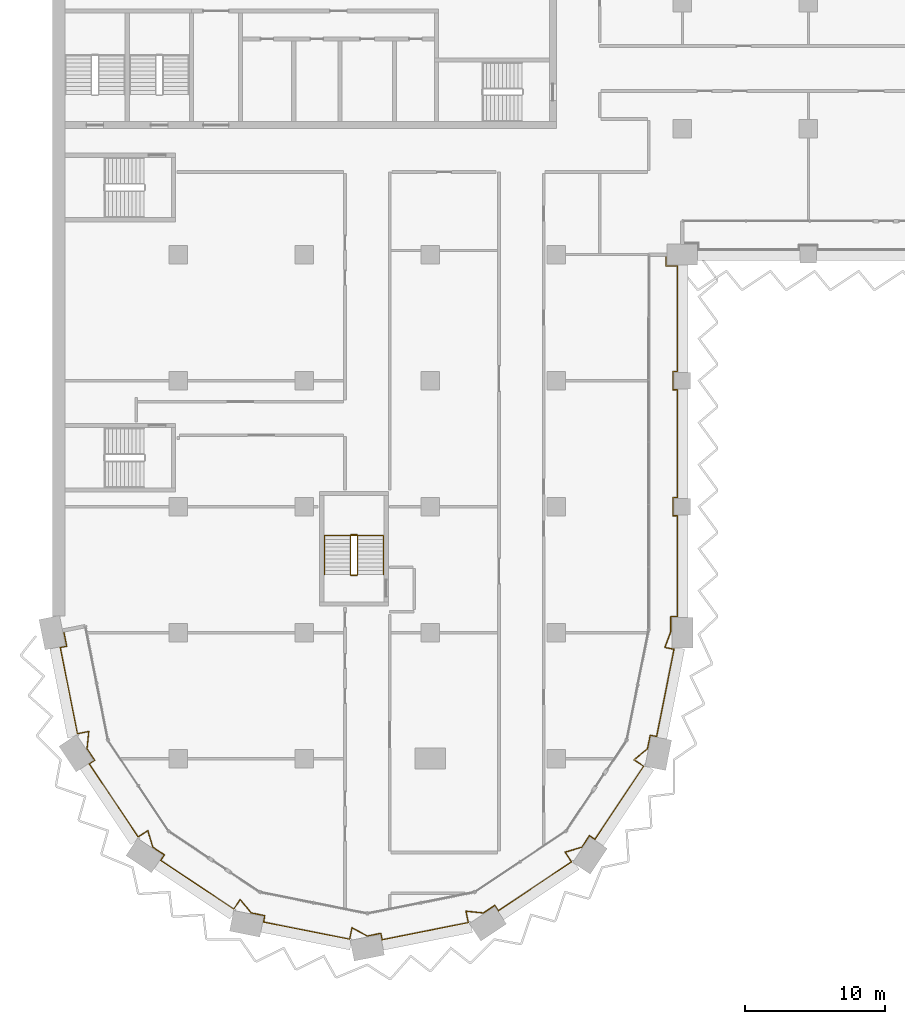
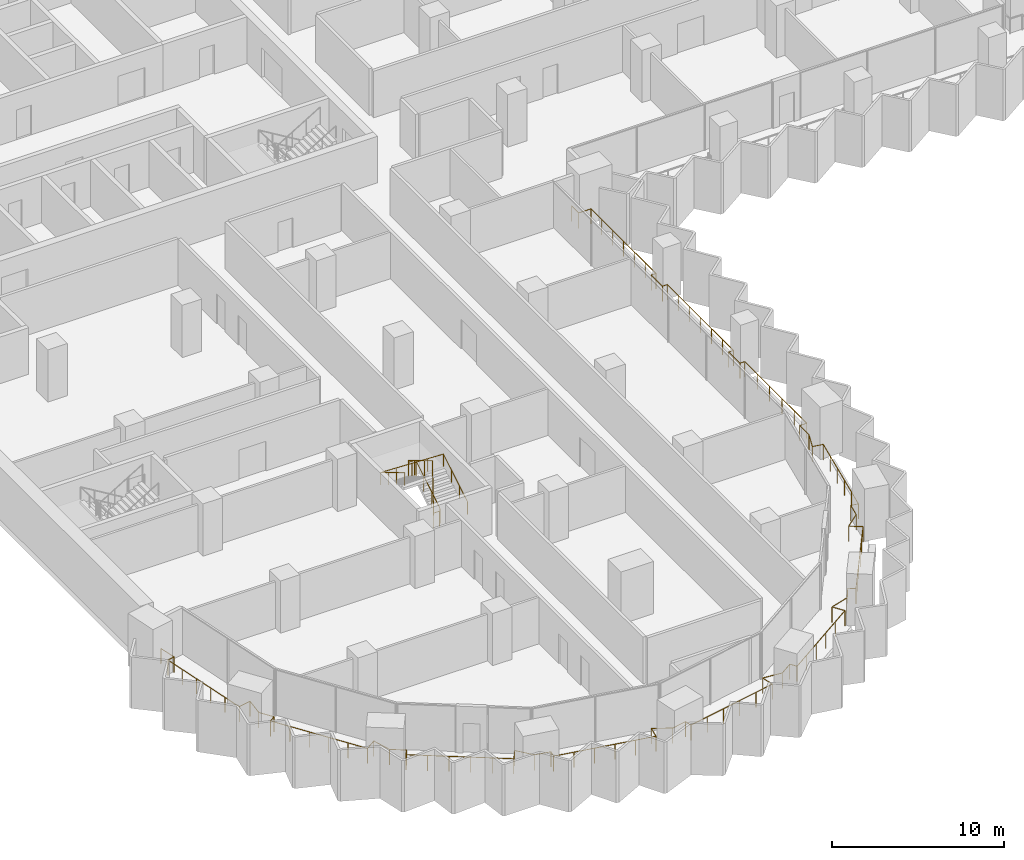
# One storey, part 20 of 23: 3 railings.
"""IFC4 building model written with IfcOpenShell, lengths in metres."""

from ifc_helpers import new_model, si_unit, direction, frame, origin, origin_2d, place, context, subcontext, project, spatial, circle, extrude, material, type_object, element, save


model = new_model("IFC4")

# Units and contexts
model_context = context("Model", 3, precision=1e-05, world=origin(), true_north=direction((0.0, 1.0)))
body_context = subcontext(model_context, "Body", "Model", "MODEL_VIEW")
ifc_project = project(units=[si_unit("LENGTHUNIT", "METRE"), si_unit("AREAUNIT", "SQUARE_METRE"), si_unit("VOLUMEUNIT", "CUBIC_METRE"), si_unit("PLANEANGLEUNIT", "RADIAN"), si_unit("MASSUNIT", "GRAM", prefix="KILO")], contexts=[model_context])

# Site, building, storey
site_placement = place(None, origin())
site = spatial("IfcSite", under=ifc_project, at=site_placement, CompositionType="ELEMENT")
building_placement = place(site_placement, origin())
building = spatial("IfcBuilding", under=site, at=building_placement, Name="Hunhe Ridgeline Campus", CompositionType="ELEMENT")
storey_placement = place(building_placement, frame((0.0, 0.0, 103.300048828125)))
storey = spatial("IfcBuildingStorey", under=building, at=storey_placement, Name="L25", CompositionType="ELEMENT", Elevation=103.300048828125)

# Railings
ifc_material_1 = material(Name="Steel Q355", Category="steel")
railing_type_1 = type_object("IfcRailingType", Name="Loggia guard 1100 Steel Q355", PredefinedType="GUARDRAIL", material=ifc_material_1)
railing_1_placement = place(storey_placement, frame((0.80419921875, 27.159912109375, 0.0)))
element("IfcRailing", 1, at=railing_1_placement, inside=storey, type_object=railing_type_1, Name="Loggia guard 1", PredefinedType="GUARDRAIL", context=body_context, shape_type="SweptSolid", body=[
    extrude(circle(Radius=0.02392578125, at=origin_2d()), frame((0.0, 0.0, 1.076171875), z_axis=(0.195095399255, -0.980784270464, 0.0), x_axis=(0.980784270464, 0.195095399255, 0.0)), (0.0, 0.0, 1.0), 1.150146484375),
    extrude(circle(Radius=0.02392578125, at=origin_2d()), frame((0.224365234375, -1.1279296875, 1.076171875), z_axis=(-0.980839571814, -0.194817181902, 0.0), x_axis=(0.194817181902, -0.980839571814, 0.0)), (0.0, 0.0, 1.0), 0.469970703125),
    extrude(circle(Radius=0.02392578125, at=origin_2d()), frame((-0.236572265625, -1.219482421875, 1.076171875), z_axis=(0.195091122585, -0.98078512116, 0.0), x_axis=(0.98078512116, 0.195091122585, 0.0)), (0.0, 0.0, 1.0), 6.27587890625),
    extrude(circle(Radius=0.02392578125, at=origin_2d()), frame((0.98779296875, -7.374755859375, 1.076171875), z_axis=(0.980805242724, 0.194989937807, 0.0), x_axis=(-0.194989937807, 0.980805242724, 0.0)), (0.0, 0.0, 1.0), 0.833984375),
    extrude(circle(Radius=0.02392578125, at=origin_2d()), frame((1.8056640625, -7.212158203125, 1.076171875), z_axis=(-0.10024174874, -0.994963110778, 0.0), x_axis=(0.994963110778, -0.10024174874, 0.0)), (0.0, 0.0, 1.0), 1.24462890625),
    extrude(circle(Radius=0.02392578125, at=origin_2d()), frame((1.680908203125, -8.450439453125, 1.076171875), z_axis=(0.555613261421, -0.831440860034, 0.0), x_axis=(0.831440860034, 0.555613261421, 0.0)), (0.0, 0.0, 1.0), 0.98681640625),
    extrude(circle(Radius=0.02392578125, at=origin_2d()), frame((2.229248046875, -9.27099609375, 1.076171875), z_axis=(-0.831650496226, -0.55529942565, 0.0), x_axis=(0.55529942565, -0.831650496226, 0.0)), (0.0, 0.0, 1.0), 0.469970703125),
    extrude(circle(Radius=0.02392578125, at=origin_2d()), frame((1.83837890625, -9.531982421875, 1.076171875), z_axis=(0.55555274607, -0.831481296443, 0.0), x_axis=(0.831481296443, 0.55555274607, 0.0)), (0.0, 0.0, 1.0), 6.27587890625),
    extrude(circle(Radius=0.02392578125, at=origin_2d()), frame((5.324951171875, -14.750244140625, 1.076171875), z_axis=(0.831419211319, 0.555645656016, 0.0), x_axis=(-0.555645656016, 0.831419211319, 0.0)), (0.0, 0.0, 1.0), 0.833984375),
    extrude(circle(Radius=0.02392578125, at=origin_2d()), frame((6.018310546875, -14.286865234375, 1.076171875), z_axis=(0.288373576958, -0.957517979002, 0.0), x_axis=(0.957517979002, 0.288373576958, 0.0)), (0.0, 0.0, 1.0), 1.24462890625),
    extrude(circle(Radius=0.02392578125, at=origin_2d()), frame((6.377197265625, -15.478515625, 1.076171875), z_axis=(0.831440860034, -0.555613261421, 0.0), x_axis=(0.555613261421, 0.831440860034, 0.0)), (0.0, 0.0, 1.0), 0.98681640625),
    extrude(circle(Radius=0.02392578125, at=origin_2d()), frame((7.19775390625, -16.02685546875, 1.076171875), z_axis=(-0.555658548717, -0.831410594856, 0.0), x_axis=(0.831410594856, -0.555658548717, 0.0)), (0.0, 0.0, 1.0), 0.47021484375),
    extrude(circle(Radius=0.02392578125, at=origin_2d()), frame((6.9365234375, -16.417724609375, 1.076171875), z_axis=(0.831469289337, -0.555570716372, 0.0), x_axis=(0.555570716372, 0.831469289337, 0.0)), (0.0, 0.0, 1.0), 6.275634765625),
    extrude(circle(Radius=0.02392578125, at=origin_2d()), frame((12.154541015625, -19.904296875, 1.076171875), z_axis=(0.555645656016, 0.831419211319, 0.0), x_axis=(-0.831419211319, 0.555645656016, 0.0)), (0.0, 0.0, 1.0), 0.833984375),
    extrude(circle(Radius=0.02392578125, at=origin_2d()), frame((12.617919921875, -19.2109375, 1.076171875), z_axis=(0.632628709191, -0.774455238414, 0.0), x_axis=(0.774455238414, 0.632628709191, 0.0)), (0.0, 0.0, 1.0), 1.24462890625),
    extrude(circle(Radius=0.02392578125, at=origin_2d()), frame((13.4052734375, -20.1748046875, 1.076171875), z_axis=(0.980770488785, -0.195164669773, 0.0), x_axis=(0.195164669773, 0.980770488785, 0.0)), (0.0, 0.0, 1.0), 0.987060546875),
    extrude(circle(Radius=0.02392578125, at=origin_2d()), frame((14.373291015625, -20.367431640625, 1.076171875), z_axis=(-0.195316901017, -0.980740183829, 0.0), x_axis=(0.980740183829, -0.195316901017, 0.0)), (0.0, 0.0, 1.0), 0.469970703125),
    extrude(circle(Radius=0.02392578125, at=origin_2d()), frame((14.281494140625, -20.828369140625, 1.076171875), z_axis=(0.98078512116, -0.195091122585, 0.0), x_axis=(0.195091122585, 0.98078512116, 0.0)), (0.0, 0.0, 1.0), 6.27587890625),
    extrude(circle(Radius=0.02392578125, at=origin_2d()), frame((20.436767578125, -22.052734375, 1.076171875), z_axis=(0.194989937807, 0.980805242724, 0.0), x_axis=(-0.980805242724, 0.194989937807, 0.0)), (0.0, 0.0, 1.0), 0.833984375),
    extrude(circle(Radius=0.02392578125, at=origin_2d()), frame((20.599365234375, -21.23486328125, 1.076171875), z_axis=(0.880980801229, -0.473152013486, 0.0), x_axis=(0.473152013486, 0.880980801229, 0.0)), (0.0, 0.0, 1.0), 1.24462890625),
    extrude(circle(Radius=0.02392578125, at=origin_2d()), frame((21.69580078125, -21.82373046875, 1.076171875), z_axis=(0.98081780924, 0.194926717196, 0.0), x_axis=(-0.194926717196, 0.98081780924, 0.0)), (0.0, 0.0, 1.0), 0.987060546875),
    extrude(circle(Radius=0.02392578125, at=origin_2d()), frame((22.663818359375, -21.63134765625, 1.076171875), z_axis=(0.194817181902, -0.980839571814, 0.0), x_axis=(0.980839571814, 0.194817181902, 0.0)), (0.0, 0.0, 1.0), 0.469970703125),
    extrude(circle(Radius=0.02392578125, at=origin_2d()), frame((22.75537109375, -22.09228515625, 1.076171875), z_axis=(0.98078512116, 0.195091122585, 0.0), x_axis=(-0.195091122585, 0.98078512116, 0.0)), (0.0, 0.0, 1.0), 6.27587890625),
    extrude(circle(Radius=0.02392578125, at=origin_2d()), frame((28.91064453125, -20.867919921875, 1.076171875), z_axis=(-0.194989937807, 0.980805242724, 0.0), x_axis=(-0.980805242724, -0.194989937807, 0.0)), (0.0, 0.0, 1.0), 0.833984375),
    extrude(circle(Radius=0.02392578125, at=origin_2d()), frame((28.748046875, -20.050048828125, 1.076171875), z_axis=(0.994963110778, -0.10024174874, 0.0), x_axis=(0.10024174874, 0.994963110778, 0.0)), (0.0, 0.0, 1.0), 1.24462890625),
    extrude(circle(Radius=0.02392578125, at=origin_2d()), frame((29.986328125, -20.1748046875, 1.076171875), z_axis=(0.831440860034, 0.555613261421, 0.0), x_axis=(-0.555613261421, 0.831440860034, 0.0)), (0.0, 0.0, 1.0), 0.98681640625),
    extrude(circle(Radius=0.02392578125, at=origin_2d()), frame((30.806884765625, -19.62646484375, 1.076171875), z_axis=(0.55529942565, -0.831650496226, 0.0), x_axis=(0.831650496226, 0.55529942565, 0.0)), (0.0, 0.0, 1.0), 0.469970703125),
    extrude(circle(Radius=0.02392578125, at=origin_2d()), frame((31.06787109375, -20.017333984375, 1.076171875), z_axis=(0.831481296443, 0.55555274607, 0.0), x_axis=(-0.55555274607, 0.831481296443, 0.0)), (0.0, 0.0, 1.0), 6.27587890625),
    extrude(circle(Radius=0.02392578125, at=origin_2d()), frame((36.2861328125, -16.53076171875, 1.076171875), z_axis=(-0.555645656016, 0.831419211319, 0.0), x_axis=(-0.831419211319, -0.555645656016, 0.0)), (0.0, 0.0, 1.0), 0.833984375),
    extrude(circle(Radius=0.02392578125, at=origin_2d()), frame((35.82275390625, -15.83740234375, 1.076171875), z_axis=(0.957517979002, 0.288373576958, 0.0), x_axis=(-0.288373576958, 0.957517979002, 0.0)), (0.0, 0.0, 1.0), 1.24462890625),
    extrude(circle(Radius=0.02392578125, at=origin_2d()), frame((37.014404296875, -15.478515625, 1.076171875), z_axis=(0.555613261421, 0.831440860034, 0.0), x_axis=(-0.831440860034, 0.555613261421, 0.0)), (0.0, 0.0, 1.0), 0.98681640625),
    extrude(circle(Radius=0.02392578125, at=origin_2d()), frame((37.562744140625, -14.657958984375, 1.076171875), z_axis=(0.831410594856, -0.555658548717, 0.0), x_axis=(0.555658548717, 0.831410594856, 0.0)), (0.0, 0.0, 1.0), 0.47021484375),
    extrude(circle(Radius=0.02392578125, at=origin_2d()), frame((37.95361328125, -14.919189453125, 1.076171875), z_axis=(0.555570716372, 0.831469289337, 0.0), x_axis=(-0.831469289337, 0.555570716372, 0.0)), (0.0, 0.0, 1.0), 6.275634765625),
    extrude(circle(Radius=0.02392578125, at=origin_2d()), frame((41.440185546875, -9.701171875, 1.076171875), z_axis=(-0.831419211319, 0.555645656016, 0.0), x_axis=(-0.555645656016, -0.831419211319, 0.0)), (0.0, 0.0, 1.0), 0.833984375),
    extrude(circle(Radius=0.02392578125, at=origin_2d()), frame((40.746826171875, -9.23779296875, 1.076171875), z_axis=(0.774455238414, 0.632628709191, 0.0), x_axis=(-0.632628709191, 0.774455238414, 0.0)), (0.0, 0.0, 1.0), 1.24462890625),
    extrude(circle(Radius=0.02392578125, at=origin_2d()), frame((41.710693359375, -8.450439453125, 1.076171875), z_axis=(0.195164669773, 0.980770488785, 0.0), x_axis=(-0.980770488785, 0.195164669773, 0.0)), (0.0, 0.0, 1.0), 0.987060546875),
    extrude(circle(Radius=0.02392578125, at=origin_2d()), frame((41.9033203125, -7.482421875, 1.076171875), z_axis=(0.980740183829, -0.195316901017, 0.0), x_axis=(0.195316901017, 0.980740183829, 0.0)), (0.0, 0.0, 1.0), 0.469970703125),
    extrude(circle(Radius=0.02392578125, at=origin_2d()), frame((42.3642578125, -7.57421875, 1.076171875), z_axis=(0.195074166836, 0.98078849373, 0.0), x_axis=(-0.98078849373, 0.195074166836, 0.0)), (0.0, 0.0, 1.0), 6.35400390625),
    extrude(circle(Radius=0.02392578125, at=origin_2d()), frame((43.603759765625, -1.34228515625, 1.076171875), z_axis=(-0.980818178173, 0.194924860818, 0.0), x_axis=(-0.194924860818, -0.980818178173, 0.0)), (0.0, 0.0, 1.0), 0.670166015625),
    extrude(circle(Radius=0.02392578125, at=origin_2d()), frame((42.946533203125, -1.211669921875, 1.076171875), z_axis=(0.354368618256, 0.935105813475, 0.0), x_axis=(-0.935105813475, 0.354368618256, 0.0)), (0.0, 0.0, 1.0), 1.211181640625),
    extrude(circle(Radius=0.02392578125, at=origin_2d()), frame((43.375732421875, -0.0791015625, 1.076171875), z_axis=(0.0, 1.0, 0.0), x_axis=(-1.0, 0.0, 0.0)), (0.0, 0.0, 1.0), 1.069091796875),
    extrude(circle(Radius=0.02392578125, at=origin_2d()), frame((43.375732421875, 0.989990234375, 1.076171875), z_axis=(1.0, 0.0, 0.0), x_axis=(0.0, 1.0, 0.0)), (0.0, 0.0, 1.0), 0.469970703125),
    extrude(circle(Radius=0.02392578125, at=origin_2d()), frame((43.845703125, 0.989990234375, 1.076171875), z_axis=(0.0, 1.0, 0.0), x_axis=(-1.0, 0.0, 0.0)), (0.0, 0.0, 1.0), 7.2001953125),
    extrude(circle(Radius=0.02392578125, at=origin_2d()), frame((43.845703125, 8.190185546875, 1.076171875), z_axis=(-1.0, 0.0, 0.0), x_axis=(0.0, -1.0, 0.0)), (0.0, 0.0, 1.0), 0.31982421875),
    extrude(circle(Radius=0.02392578125, at=origin_2d()), frame((43.52587890625, 8.190185546875, 1.076171875), z_axis=(0.0, 1.0, 0.0), x_axis=(-1.0, 0.0, 0.0)), (0.0, 0.0, 1.0), 1.2998046875),
    extrude(circle(Radius=0.02392578125, at=origin_2d()), frame((43.52587890625, 9.489990234375, 1.076171875), z_axis=(1.0, 0.0, 0.0), x_axis=(0.0, 1.0, 0.0)), (0.0, 0.0, 1.0), 0.31982421875),
    extrude(circle(Radius=0.02392578125, at=origin_2d()), frame((43.845703125, 9.489990234375, 1.076171875), z_axis=(0.0, 1.0, 0.0), x_axis=(-1.0, 0.0, 0.0)), (0.0, 0.0, 1.0), 7.7001953125),
    extrude(circle(Radius=0.02392578125, at=origin_2d()), frame((43.845703125, 17.190185546875, 1.076171875), z_axis=(-1.0, 0.0, 0.0), x_axis=(0.0, -1.0, 0.0)), (0.0, 0.0, 1.0), 0.31982421875),
    extrude(circle(Radius=0.02392578125, at=origin_2d()), frame((43.52587890625, 17.190185546875, 1.076171875), z_axis=(0.0, 1.0, 0.0), x_axis=(-1.0, 0.0, 0.0)), (0.0, 0.0, 1.0), 1.2998046875),
    extrude(circle(Radius=0.02392578125, at=origin_2d()), frame((43.52587890625, 18.489990234375, 1.076171875), z_axis=(1.0, 0.0, 0.0), x_axis=(0.0, 1.0, 0.0)), (0.0, 0.0, 1.0), 0.31982421875),
    extrude(circle(Radius=0.02392578125, at=origin_2d()), frame((43.845703125, 18.489990234375, 1.076171875), z_axis=(0.0, 1.0, 0.0), x_axis=(-1.0, 0.0, 0.0)), (0.0, 0.0, 1.0), 7.550048828125),
    extrude(circle(Radius=0.02392578125, at=origin_2d()), frame((43.845703125, 26.0400390625, 1.076171875), z_axis=(-1.0, 0.0, 0.0), x_axis=(0.0, -1.0, 0.0)), (0.0, 0.0, 1.0), 0.81982421875),
    extrude(circle(Radius=0.02392578125, at=origin_2d()), frame((43.02587890625, 26.0400390625, 1.076171875), z_axis=(0.0, 1.0, 0.0), x_axis=(-1.0, 0.0, 0.0)), (0.0, 0.0, 1.0), 0.800048828125),
    extrude(circle(Radius=0.02099609375, at=origin_2d()), origin(), (0.0, 0.0, 1.0), 1.052001953125),
    extrude(circle(Radius=0.02099609375, at=origin_2d()), frame((0.224365234375, -1.1279296875, 0.0)), (0.0, 0.0, 1.0), 1.052001953125),
    extrude(circle(Radius=0.02099609375, at=origin_2d()), frame((-0.236572265625, -1.219482421875, 0.0)), (0.0, 0.0, 1.0), 1.052001953125),
    extrude(circle(Radius=0.02099609375, at=origin_2d()), frame((0.00830078125, -2.450439453125, 0.0)), (0.0, 0.0, 1.0), 1.052001953125),
    extrude(circle(Radius=0.02099609375, at=origin_2d()), frame((0.253173828125, -3.681640625, 0.0)), (0.0, 0.0, 1.0), 1.052001953125),
    extrude(circle(Radius=0.02099609375, at=origin_2d()), frame((0.498046875, -4.91259765625, 0.0)), (0.0, 0.0, 1.0), 1.052001953125),
    extrude(circle(Radius=0.02099609375, at=origin_2d()), frame((0.742919921875, -6.143798828125, 0.0)), (0.0, 0.0, 1.0), 1.052001953125),
    extrude(circle(Radius=0.02099609375, at=origin_2d()), frame((0.98779296875, -7.374755859375, 0.0)), (0.0, 0.0, 1.0), 1.052001953125),
    extrude(circle(Radius=0.02099609375, at=origin_2d()), frame((1.8056640625, -7.212158203125, 0.0)), (0.0, 0.0, 1.0), 1.052001953125),
    extrude(circle(Radius=0.02099609375, at=origin_2d()), frame((1.680908203125, -8.450439453125, 0.0)), (0.0, 0.0, 1.0), 1.052001953125),
    extrude(circle(Radius=0.02099609375, at=origin_2d()), frame((2.229248046875, -9.27099609375, 0.0)), (0.0, 0.0, 1.0), 1.052001953125),
    extrude(circle(Radius=0.02099609375, at=origin_2d()), frame((1.83837890625, -9.531982421875, 0.0)), (0.0, 0.0, 1.0), 1.052001953125),
    extrude(circle(Radius=0.02099609375, at=origin_2d()), frame((2.53564453125, -10.57568359375, 0.0)), (0.0, 0.0, 1.0), 1.052001953125),
    extrude(circle(Radius=0.02099609375, at=origin_2d()), frame((3.23291015625, -11.619384765625, 0.0)), (0.0, 0.0, 1.0), 1.052001953125),
    extrude(circle(Radius=0.02099609375, at=origin_2d()), frame((3.930419921875, -12.662841796875, 0.0)), (0.0, 0.0, 1.0), 1.052001953125),
    extrude(circle(Radius=0.02099609375, at=origin_2d()), frame((4.627685546875, -13.70654296875, 0.0)), (0.0, 0.0, 1.0), 1.052001953125),
    extrude(circle(Radius=0.02099609375, at=origin_2d()), frame((5.324951171875, -14.750244140625, 0.0)), (0.0, 0.0, 1.0), 1.052001953125),
    extrude(circle(Radius=0.02099609375, at=origin_2d()), frame((6.018310546875, -14.286865234375, 0.0)), (0.0, 0.0, 1.0), 1.052001953125),
    extrude(circle(Radius=0.02099609375, at=origin_2d()), frame((6.377197265625, -15.478515625, 0.0)), (0.0, 0.0, 1.0), 1.052001953125),
    extrude(circle(Radius=0.02099609375, at=origin_2d()), frame((7.19775390625, -16.02685546875, 0.0)), (0.0, 0.0, 1.0), 1.052001953125),
    extrude(circle(Radius=0.02099609375, at=origin_2d()), frame((6.9365234375, -16.417724609375, 0.0)), (0.0, 0.0, 1.0), 1.052001953125),
    extrude(circle(Radius=0.02099609375, at=origin_2d()), frame((7.980224609375, -17.114990234375, 0.0)), (0.0, 0.0, 1.0), 1.052001953125),
    extrude(circle(Radius=0.02099609375, at=origin_2d()), frame((9.023681640625, -17.812255859375, 0.0)), (0.0, 0.0, 1.0), 1.052001953125),
    extrude(circle(Radius=0.02099609375, at=origin_2d()), frame((10.0673828125, -18.509765625, 0.0)), (0.0, 0.0, 1.0), 1.052001953125),
    extrude(circle(Radius=0.02099609375, at=origin_2d()), frame((11.11083984375, -19.20703125, 0.0)), (0.0, 0.0, 1.0), 1.052001953125),
    extrude(circle(Radius=0.02099609375, at=origin_2d()), frame((12.154541015625, -19.904296875, 0.0)), (0.0, 0.0, 1.0), 1.052001953125),
    extrude(circle(Radius=0.02099609375, at=origin_2d()), frame((12.617919921875, -19.2109375, 0.0)), (0.0, 0.0, 1.0), 1.052001953125),
    extrude(circle(Radius=0.02099609375, at=origin_2d()), frame((13.4052734375, -20.1748046875, 0.0)), (0.0, 0.0, 1.0), 1.052001953125),
    extrude(circle(Radius=0.02099609375, at=origin_2d()), frame((14.373291015625, -20.367431640625, 0.0)), (0.0, 0.0, 1.0), 1.052001953125),
    extrude(circle(Radius=0.02099609375, at=origin_2d()), frame((14.281494140625, -20.828369140625, 0.0)), (0.0, 0.0, 1.0), 1.052001953125),
    extrude(circle(Radius=0.02099609375, at=origin_2d()), frame((15.512451171875, -21.0732421875, 0.0)), (0.0, 0.0, 1.0), 1.052001953125),
    extrude(circle(Radius=0.02099609375, at=origin_2d()), frame((16.74365234375, -21.318115234375, 0.0)), (0.0, 0.0, 1.0), 1.052001953125),
    extrude(circle(Radius=0.02099609375, at=origin_2d()), frame((17.974609375, -21.56298828125, 0.0)), (0.0, 0.0, 1.0), 1.052001953125),
    extrude(circle(Radius=0.02099609375, at=origin_2d()), frame((19.205810546875, -21.807861328125, 0.0)), (0.0, 0.0, 1.0), 1.052001953125),
    extrude(circle(Radius=0.02099609375, at=origin_2d()), frame((20.436767578125, -22.052734375, 0.0)), (0.0, 0.0, 1.0), 1.052001953125),
    extrude(circle(Radius=0.02099609375, at=origin_2d()), frame((20.599365234375, -21.23486328125, 0.0)), (0.0, 0.0, 1.0), 1.052001953125),
    extrude(circle(Radius=0.02099609375, at=origin_2d()), frame((21.69580078125, -21.82373046875, 0.0)), (0.0, 0.0, 1.0), 1.052001953125),
    extrude(circle(Radius=0.02099609375, at=origin_2d()), frame((22.663818359375, -21.63134765625, 0.0)), (0.0, 0.0, 1.0), 1.052001953125),
    extrude(circle(Radius=0.02099609375, at=origin_2d()), frame((22.75537109375, -22.09228515625, 0.0)), (0.0, 0.0, 1.0), 1.052001953125),
    extrude(circle(Radius=0.02099609375, at=origin_2d()), frame((23.986328125, -21.847412109375, 0.0)), (0.0, 0.0, 1.0), 1.052001953125),
    extrude(circle(Radius=0.02099609375, at=origin_2d()), frame((25.217529296875, -21.6025390625, 0.0)), (0.0, 0.0, 1.0), 1.052001953125),
    extrude(circle(Radius=0.02099609375, at=origin_2d()), frame((26.448486328125, -21.357666015625, 0.0)), (0.0, 0.0, 1.0), 1.052001953125),
    extrude(circle(Radius=0.02099609375, at=origin_2d()), frame((27.6796875, -21.11279296875, 0.0)), (0.0, 0.0, 1.0), 1.052001953125),
    extrude(circle(Radius=0.02099609375, at=origin_2d()), frame((28.91064453125, -20.867919921875, 0.0)), (0.0, 0.0, 1.0), 1.052001953125),
    extrude(circle(Radius=0.02099609375, at=origin_2d()), frame((28.748046875, -20.050048828125, 0.0)), (0.0, 0.0, 1.0), 1.052001953125),
    extrude(circle(Radius=0.02099609375, at=origin_2d()), frame((29.986328125, -20.1748046875, 0.0)), (0.0, 0.0, 1.0), 1.052001953125),
    extrude(circle(Radius=0.02099609375, at=origin_2d()), frame((30.806884765625, -19.62646484375, 0.0)), (0.0, 0.0, 1.0), 1.052001953125),
    extrude(circle(Radius=0.02099609375, at=origin_2d()), frame((31.06787109375, -20.017333984375, 0.0)), (0.0, 0.0, 1.0), 1.052001953125),
    extrude(circle(Radius=0.02099609375, at=origin_2d()), frame((32.111572265625, -19.320068359375, 0.0)), (0.0, 0.0, 1.0), 1.052001953125),
    extrude(circle(Radius=0.02099609375, at=origin_2d()), frame((33.1552734375, -18.622802734375, 0.0)), (0.0, 0.0, 1.0), 1.052001953125),
    extrude(circle(Radius=0.02099609375, at=origin_2d()), frame((34.19873046875, -17.92529296875, 0.0)), (0.0, 0.0, 1.0), 1.052001953125),
    extrude(circle(Radius=0.02099609375, at=origin_2d()), frame((35.242431640625, -17.22802734375, 0.0)), (0.0, 0.0, 1.0), 1.052001953125),
    extrude(circle(Radius=0.02099609375, at=origin_2d()), frame((36.2861328125, -16.53076171875, 0.0)), (0.0, 0.0, 1.0), 1.052001953125),
    extrude(circle(Radius=0.02099609375, at=origin_2d()), frame((35.82275390625, -15.83740234375, 0.0)), (0.0, 0.0, 1.0), 1.052001953125),
    extrude(circle(Radius=0.02099609375, at=origin_2d()), frame((37.014404296875, -15.478515625, 0.0)), (0.0, 0.0, 1.0), 1.052001953125),
    extrude(circle(Radius=0.02099609375, at=origin_2d()), frame((37.562744140625, -14.657958984375, 0.0)), (0.0, 0.0, 1.0), 1.052001953125),
    extrude(circle(Radius=0.02099609375, at=origin_2d()), frame((37.95361328125, -14.919189453125, 0.0)), (0.0, 0.0, 1.0), 1.052001953125),
    extrude(circle(Radius=0.02099609375, at=origin_2d()), frame((38.65087890625, -13.87548828125, 0.0)), (0.0, 0.0, 1.0), 1.052001953125),
    extrude(circle(Radius=0.02099609375, at=origin_2d()), frame((39.34814453125, -12.83203125, 0.0)), (0.0, 0.0, 1.0), 1.052001953125),
    extrude(circle(Radius=0.02099609375, at=origin_2d()), frame((40.045654296875, -11.788330078125, 0.0)), (0.0, 0.0, 1.0), 1.052001953125),
    extrude(circle(Radius=0.02099609375, at=origin_2d()), frame((40.742919921875, -10.744873046875, 0.0)), (0.0, 0.0, 1.0), 1.052001953125),
    extrude(circle(Radius=0.02099609375, at=origin_2d()), frame((41.440185546875, -9.701171875, 0.0)), (0.0, 0.0, 1.0), 1.052001953125),
    extrude(circle(Radius=0.02099609375, at=origin_2d()), frame((40.746826171875, -9.23779296875, 0.0)), (0.0, 0.0, 1.0), 1.052001953125),
    extrude(circle(Radius=0.02099609375, at=origin_2d()), frame((41.710693359375, -8.450439453125, 0.0)), (0.0, 0.0, 1.0), 1.052001953125),
    extrude(circle(Radius=0.02099609375, at=origin_2d()), frame((41.9033203125, -7.482421875, 0.0)), (0.0, 0.0, 1.0), 1.052001953125),
    extrude(circle(Radius=0.02099609375, at=origin_2d()), frame((42.3642578125, -7.57421875, 0.0)), (0.0, 0.0, 1.0), 1.052001953125),
    extrude(circle(Radius=0.02099609375, at=origin_2d()), frame((42.612060546875, -6.327880859375, 0.0)), (0.0, 0.0, 1.0), 1.052001953125),
    extrude(circle(Radius=0.02099609375, at=origin_2d()), frame((42.860107421875, -5.08154296875, 0.0)), (0.0, 0.0, 1.0), 1.052001953125),
    extrude(circle(Radius=0.02099609375, at=origin_2d()), frame((43.10791015625, -3.8349609375, 0.0)), (0.0, 0.0, 1.0), 1.052001953125),
    extrude(circle(Radius=0.02099609375, at=origin_2d()), frame((43.35595703125, -2.588623046875, 0.0)), (0.0, 0.0, 1.0), 1.052001953125),
    extrude(circle(Radius=0.02099609375, at=origin_2d()), frame((43.603759765625, -1.34228515625, 0.0)), (0.0, 0.0, 1.0), 1.052001953125),
    extrude(circle(Radius=0.02099609375, at=origin_2d()), frame((42.946533203125, -1.211669921875, 0.0)), (0.0, 0.0, 1.0), 1.052001953125),
    extrude(circle(Radius=0.02099609375, at=origin_2d()), frame((43.375732421875, -0.0791015625, 0.0)), (0.0, 0.0, 1.0), 1.052001953125),
    extrude(circle(Radius=0.02099609375, at=origin_2d()), frame((43.375732421875, 0.989990234375, 0.0)), (0.0, 0.0, 1.0), 1.052001953125),
    extrude(circle(Radius=0.02099609375, at=origin_2d()), frame((43.845703125, 0.989990234375, 0.0)), (0.0, 0.0, 1.0), 1.052001953125),
    extrude(circle(Radius=0.02099609375, at=origin_2d()), frame((43.845703125, 2.429931640625, 0.0)), (0.0, 0.0, 1.0), 1.052001953125),
    extrude(circle(Radius=0.02099609375, at=origin_2d()), frame((43.845703125, 3.8701171875, 0.0)), (0.0, 0.0, 1.0), 1.052001953125),
    extrude(circle(Radius=0.02099609375, at=origin_2d()), frame((43.845703125, 5.31005859375, 0.0)), (0.0, 0.0, 1.0), 1.052001953125),
    extrude(circle(Radius=0.02099609375, at=origin_2d()), frame((43.845703125, 6.750244140625, 0.0)), (0.0, 0.0, 1.0), 1.052001953125),
    extrude(circle(Radius=0.02099609375, at=origin_2d()), frame((43.845703125, 8.190185546875, 0.0)), (0.0, 0.0, 1.0), 1.052001953125),
    extrude(circle(Radius=0.02099609375, at=origin_2d()), frame((43.52587890625, 8.190185546875, 0.0)), (0.0, 0.0, 1.0), 1.052001953125),
    extrude(circle(Radius=0.02099609375, at=origin_2d()), frame((43.52587890625, 9.489990234375, 0.0)), (0.0, 0.0, 1.0), 1.052001953125),
    extrude(circle(Radius=0.02099609375, at=origin_2d()), frame((43.845703125, 9.489990234375, 0.0)), (0.0, 0.0, 1.0), 1.052001953125),
    extrude(circle(Radius=0.02099609375, at=origin_2d()), frame((43.845703125, 10.7734375, 0.0)), (0.0, 0.0, 1.0), 1.052001953125),
    extrude(circle(Radius=0.02099609375, at=origin_2d()), frame((43.845703125, 12.056640625, 0.0)), (0.0, 0.0, 1.0), 1.052001953125),
    extrude(circle(Radius=0.02099609375, at=origin_2d()), frame((43.845703125, 13.340087890625, 0.0)), (0.0, 0.0, 1.0), 1.052001953125),
    extrude(circle(Radius=0.02099609375, at=origin_2d()), frame((43.845703125, 14.62353515625, 0.0)), (0.0, 0.0, 1.0), 1.052001953125),
    extrude(circle(Radius=0.02099609375, at=origin_2d()), frame((43.845703125, 15.90673828125, 0.0)), (0.0, 0.0, 1.0), 1.052001953125),
    extrude(circle(Radius=0.02099609375, at=origin_2d()), frame((43.845703125, 17.190185546875, 0.0)), (0.0, 0.0, 1.0), 1.052001953125),
    extrude(circle(Radius=0.02099609375, at=origin_2d()), frame((43.52587890625, 17.190185546875, 0.0)), (0.0, 0.0, 1.0), 1.052001953125),
    extrude(circle(Radius=0.02099609375, at=origin_2d()), frame((43.52587890625, 18.489990234375, 0.0)), (0.0, 0.0, 1.0), 1.052001953125),
    extrude(circle(Radius=0.02099609375, at=origin_2d()), frame((43.845703125, 18.489990234375, 0.0)), (0.0, 0.0, 1.0), 1.052001953125),
    extrude(circle(Radius=0.02099609375, at=origin_2d()), frame((43.845703125, 19.748291015625, 0.0)), (0.0, 0.0, 1.0), 1.052001953125),
    extrude(circle(Radius=0.02099609375, at=origin_2d()), frame((43.845703125, 21.006591796875, 0.0)), (0.0, 0.0, 1.0), 1.052001953125),
    extrude(circle(Radius=0.02099609375, at=origin_2d()), frame((43.845703125, 22.26513671875, 0.0)), (0.0, 0.0, 1.0), 1.052001953125),
    extrude(circle(Radius=0.02099609375, at=origin_2d()), frame((43.845703125, 23.5234375, 0.0)), (0.0, 0.0, 1.0), 1.052001953125),
    extrude(circle(Radius=0.02099609375, at=origin_2d()), frame((43.845703125, 24.78173828125, 0.0)), (0.0, 0.0, 1.0), 1.052001953125),
    extrude(circle(Radius=0.02099609375, at=origin_2d()), frame((43.845703125, 26.0400390625, 0.0)), (0.0, 0.0, 1.0), 1.052001953125),
    extrude(circle(Radius=0.02099609375, at=origin_2d()), frame((43.02587890625, 26.0400390625, 0.0)), (0.0, 0.0, 1.0), 1.052001953125),
    extrude(circle(Radius=0.02099609375, at=origin_2d()), frame((43.02587890625, 26.840087890625, 0.0)), (0.0, 0.0, 1.0), 1.052001953125),
])
ifc_material_2 = material(Name="Stainless steel balustrade", Category="steel")
railing_type_2 = type_object("IfcRailingType", Name="Stair guard 1100 stainless", PredefinedType="GUARDRAIL", material=ifc_material_2)
railing_2_placement = place(storey_placement, frame((21.800048828125, 31.14990234375, 0.168212890625)))
element("IfcRailing", 2, at=railing_2_placement, inside=storey, type_object=railing_type_2, Name="L25 stair W3 guard", PredefinedType="GUARDRAIL", context=body_context, shape_type="SweptSolid", body=[
    extrude(circle(Radius=0.02392578125, at=origin_2d()), frame((0.0, 0.0, 1.076171875), z_axis=(0.0, 0.857275202839, 0.514858452973), x_axis=(-1.0, 0.0, 0.0)), (0.0, 0.0, 1.0), 3.26611328125),
    extrude(circle(Radius=0.02392578125, at=origin_2d()), frame((0.0, 2.800048828125, 2.7578125), z_axis=(-0.707106781187, 0.707106781187, 0.0), x_axis=(-0.707106781187, -0.707106781187, 0.0)), (0.0, 0.0, 1.0), 0.07080078125),
    extrude(circle(Radius=0.02392578125, at=origin_2d()), frame((-0.050048828125, 2.85009765625, 2.7578125), z_axis=(-1.0, 0.0, 0.0), x_axis=(0.0, -1.0, 0.0)), (0.0, 0.0, 1.0), 0.39990234375),
    extrude(circle(Radius=0.02392578125, at=origin_2d()), frame((-0.449951171875, 2.85009765625, 2.7578125), z_axis=(-0.274243871929, -0.274243871929, 0.92172696468), x_axis=(0.707106781187, -0.707106781187, 0.0)), (0.0, 0.0, 1.0), 0.1826171875),
    extrude(circle(Radius=0.02392578125, at=origin_2d()), frame((-0.5, 2.800048828125, 2.92578125), z_axis=(0.0, -0.857242210791, 0.514913383045), x_axis=(1.0, 0.0, 0.0)), (0.0, 0.0, 1.0), 3.266357421875),
    extrude(circle(Radius=0.02392578125, at=origin_2d()), frame((-0.5, 0.0, 4.60791015625), z_axis=(0.013524426427, -0.013458453615, -0.999817963389), x_axis=(0.705375805398, 0.708833529934, 0.0)), (0.0, 0.0, 1.0), 3.70068359375),
    extrude(circle(Radius=0.02392578125, at=origin_2d()), frame((-0.449951171875, -0.0498046875, 0.90771484375), z_axis=(1.0, 0.0, 0.0), x_axis=(0.0, 1.0, 0.0)), (0.0, 0.0, 1.0), 0.39990234375),
    extrude(circle(Radius=0.02099609375, at=origin_2d()), origin(), (0.0, 0.0, 1.0), 1.052001953125),
    extrude(circle(Radius=0.02099609375, at=origin_2d()), frame((0.0, 0.933349609375, 0.560546875)), (0.0, 0.0, 1.0), 1.052001953125),
    extrude(circle(Radius=0.02099609375, at=origin_2d()), frame((0.0, 1.86669921875, 1.12109375)), (0.0, 0.0, 1.0), 1.052001953125),
    extrude(circle(Radius=0.02099609375, at=origin_2d()), frame((0.0, 2.800048828125, 1.681640625)), (0.0, 0.0, 1.0), 1.052001953125),
    extrude(circle(Radius=0.02099609375, at=origin_2d()), frame((-0.050048828125, 2.85009765625, 1.681640625)), (0.0, 0.0, 1.0), 1.052001953125),
    extrude(circle(Radius=0.02099609375, at=origin_2d()), frame((-0.449951171875, 2.85009765625, 1.681640625)), (0.0, 0.0, 1.0), 1.052001953125),
    extrude(circle(Radius=0.02099609375, at=origin_2d()), frame((-0.5, 2.800048828125, 1.849853515625)), (0.0, 0.0, 1.0), 1.052001953125),
    extrude(circle(Radius=0.02099609375, at=origin_2d()), frame((-0.5, 1.86669921875, 2.410400390625)), (0.0, 0.0, 1.0), 1.052001953125),
    extrude(circle(Radius=0.02099609375, at=origin_2d()), frame((-0.5, 0.933349609375, 2.97119140625)), (0.0, 0.0, 1.0), 1.052001953125),
    extrude(circle(Radius=0.02099609375, at=origin_2d()), frame((-0.5, 0.0, 3.53173828125)), (0.0, 0.0, 1.0), 1.052001953125),
    extrude(circle(Radius=0.02099609375, at=origin_2d()), frame((-0.487548828125, -0.012451171875, 2.606689453125)), (0.0, 0.0, 1.0), 1.052001953125),
    extrude(circle(Radius=0.02099609375, at=origin_2d()), frame((-0.47509765625, -0.02490234375, 1.681640625)), (0.0, 0.0, 1.0), 1.052001953125),
    extrude(circle(Radius=0.02099609375, at=origin_2d()), frame((-0.46240234375, -0.037353515625, 0.7568359375)), (0.0, 0.0, 1.0), 1.052001953125),
    extrude(circle(Radius=0.02099609375, at=origin_2d()), frame((-0.449951171875, -0.0498046875, -0.168212890625)), (0.0, 0.0, 1.0), 1.052001953125),
    extrude(circle(Radius=0.02099609375, at=origin_2d()), frame((-0.050048828125, -0.0498046875, -0.168212890625)), (0.0, 0.0, 1.0), 1.052001953125),
])
ifc_material_3 = material(Name="Stainless steel handrail", Category="steel")
railing_type_3 = type_object("IfcRailingType", Name="Stair handrail 900 stainless", PredefinedType="HANDRAIL", material=ifc_material_3)
railing_3_placement = place(storey_placement, frame((23.64990234375, 31.14990234375, 0.168212890625)))
element("IfcRailing", 3, at=railing_3_placement, inside=storey, type_object=railing_type_3, Name="L25 stair W3 handrail", PredefinedType="HANDRAIL", context=body_context, shape_type="SweptSolid", body=[
    extrude(circle(Radius=0.02392578125, at=origin_2d()), frame((0.0, 0.0, 0.8759765625), z_axis=(0.0, 0.857275202839, 0.514858452973), x_axis=(-1.0, 0.0, 0.0)), (0.0, 0.0, 1.0), 3.26611328125),
    extrude(circle(Radius=0.02392578125, at=origin_2d()), frame((0.0, 2.800048828125, 2.5576171875), z_axis=(-0.999198916169, 0.0, 0.040019069537), x_axis=(0.0, -1.0, 0.0)), (0.0, 0.0, 1.0), 4.203369140625),
    extrude(circle(Radius=0.02392578125, at=origin_2d()), frame((-4.199951171875, 2.800048828125, 2.7255859375), z_axis=(0.0, -0.857242210791, 0.514913383045), x_axis=(1.0, 0.0, 0.0)), (0.0, 0.0, 1.0), 3.266357421875),
    extrude(circle(Radius=0.02099609375, at=origin_2d()), origin(), (0.0, 0.0, 1.0), 0.851806640625),
    extrude(circle(Radius=0.02099609375, at=origin_2d()), frame((0.0, 0.933349609375, 0.560546875)), (0.0, 0.0, 1.0), 0.851806640625),
    extrude(circle(Radius=0.02099609375, at=origin_2d()), frame((0.0, 1.86669921875, 1.12109375)), (0.0, 0.0, 1.0), 0.851806640625),
    extrude(circle(Radius=0.02099609375, at=origin_2d()), frame((0.0, 2.800048828125, 1.681640625)), (0.0, 0.0, 1.0), 0.851806640625),
    extrude(circle(Radius=0.02099609375, at=origin_2d()), frame((-1.050048828125, 2.800048828125, 1.7236328125)), (0.0, 0.0, 1.0), 0.851806640625),
    extrude(circle(Radius=0.02099609375, at=origin_2d()), frame((-2.10009765625, 2.800048828125, 1.765625)), (0.0, 0.0, 1.0), 0.851806640625),
    extrude(circle(Radius=0.02099609375, at=origin_2d()), frame((-3.14990234375, 2.800048828125, 1.807861328125)), (0.0, 0.0, 1.0), 0.851806640625),
    extrude(circle(Radius=0.02099609375, at=origin_2d()), frame((-4.199951171875, 2.800048828125, 1.849853515625)), (0.0, 0.0, 1.0), 0.851806640625),
    extrude(circle(Radius=0.02099609375, at=origin_2d()), frame((-4.199951171875, 1.86669921875, 2.410400390625)), (0.0, 0.0, 1.0), 0.851806640625),
    extrude(circle(Radius=0.02099609375, at=origin_2d()), frame((-4.199951171875, 0.933349609375, 2.97119140625)), (0.0, 0.0, 1.0), 0.851806640625),
    extrude(circle(Radius=0.02099609375, at=origin_2d()), frame((-4.199951171875, 0.0, 3.53173828125)), (0.0, 0.0, 1.0), 0.851806640625),
])

save(model, "model.ifc")
